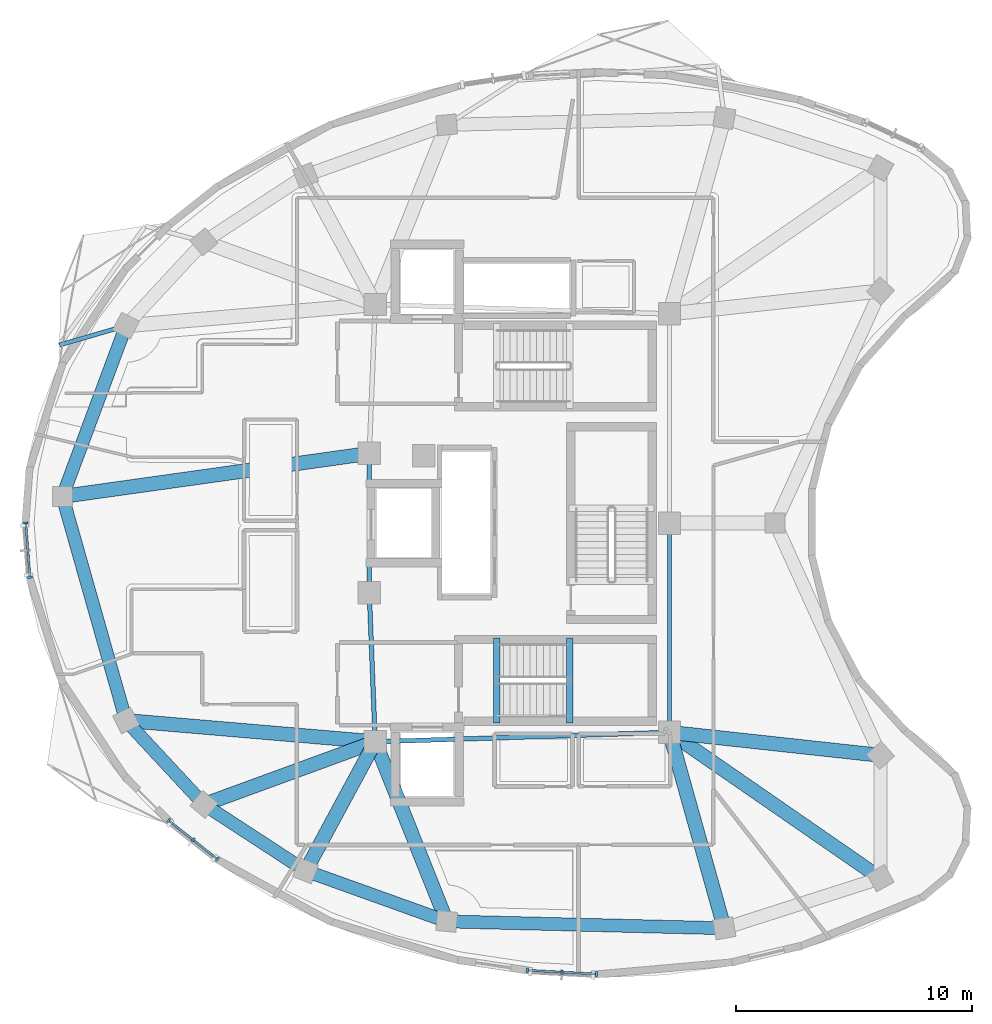
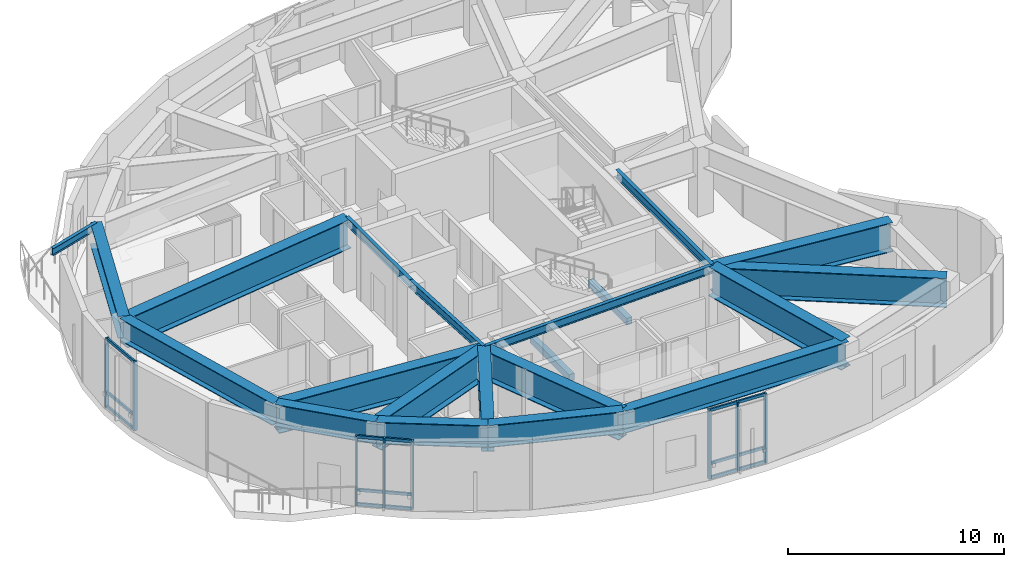
# One storey, part 2 of 12: 23 members, 21 beams, 3 elements without a shape of their own.
"""IFC4 building model written with IfcOpenShell, lengths in metres."""

from ifc_helpers import new_model, si_unit, direction, frame, origin, origin_2d, place, context, subcontext, project, spatial, rectangle, i_section, extrude, material, layer, layer_set, material_profile, profile_set, type_object, element, aggregate, save


model = new_model("IFC4")

# Units and contexts
model_context = context("Model", 3, precision=1e-05, world=origin(), true_north=direction((0.0, 1.0)))
body_context = subcontext(model_context, "Body", "Model", "MODEL_VIEW")
ifc_project = project(units=[si_unit("LENGTHUNIT", "METRE"), si_unit("AREAUNIT", "SQUARE_METRE"), si_unit("VOLUMEUNIT", "CUBIC_METRE"), si_unit("PLANEANGLEUNIT", "RADIAN"), si_unit("MASSUNIT", "GRAM", prefix="KILO")], contexts=[model_context])

# Site, building, storey
site_placement = place(None, origin())
site = spatial("IfcSite", under=ifc_project, at=site_placement, CompositionType="ELEMENT")
building_placement = place(site_placement, origin())
building = spatial("IfcBuilding", under=site, at=building_placement, Name="Korentha Bioscience Tower", CompositionType="ELEMENT")
storey_placement = place(building_placement, frame((0.0, 0.0, 286.800048828125)))
storey = spatial("IfcBuildingStorey", under=building, at=storey_placement, Name="L66", CompositionType="ELEMENT", Elevation=286.800048828125)

# Beams
ifc_material_1 = material(Name="Concrete C50", Category="concrete")
ifc_material_profile_1 = material_profile(ifc_material_1, rectangle(XDim=0.280029296875, YDim=0.3798828125, at=origin_2d()), Name="Concrete C50")
ifc_profile_set_1 = profile_set([ifc_material_profile_1], Name="Concrete C50 (ST-HB380)")
beam_type_1 = type_object("IfcBeamType", Name="Concrete Stair Header Beam RC 280x380", PredefinedType="BEAM", material=ifc_profile_set_1)
for number, where, z_axis, x_axis, name in (
    (1, (30.25, 18.550048828125, -0.18994140625), (0.0, 1.0, 0.0), (-1.0, 0.0, 0.0), "L66 ST-2 Concrete Stair Header Beam"),
    (2, (33.330078125, 18.550048828125, 1.909912109375), (0.0, 1.0, 0.0), (-1.0, 0.0, 0.0), "L66 ST-2 Half-Landing Header Beam 1"),
):
    element("IfcBeam", number, at=place(storey_placement, frame(where, z_axis=z_axis, x_axis=x_axis)), inside=storey, type_object=beam_type_1, Name=name, PredefinedType="BEAM", context=body_context, shape_type="SweptSolid", body=[
        extrude(rectangle(XDim=0.280029296875, YDim=0.3798828125, at=origin_2d()), origin(), (0.0, 0.0, 1.0), 3.599853515625),
    ])
ifc_material_2 = material(Name="Steel S355", Category="steel")
ifc_material_profile_2 = material_profile(ifc_material_2, i_section(OverallWidth=0.550048828125, OverallDepth=1.25, WebThickness=0.02392578125, FlangeThickness=0.0400390625, at=origin_2d()), Name="Steel S355")
ifc_profile_set_2 = profile_set([ifc_material_profile_2], Name="Steel S355 (TG-03)")
beam_type_2 = type_object("IfcBeamType", Name="Crown Step Transfer Girder CVS 1250x510", PredefinedType="USERDEFINED", material=ifc_profile_set_2)
beam_1_placement = place(storey_placement, frame((14.556884765625, 35.35107421875, 3.27490234375), z_axis=(-0.348764777576, -0.937210291195, 0.0), x_axis=(0.937210291195, -0.348764777576, 0.0)))
element("IfcBeam", 3, at=beam_1_placement, inside=storey, type_object=beam_type_2, Name="L66 Perimeter Spandrel Girder 06", ObjectType="TRANSFER_GIRDER", PredefinedType="USERDEFINED", context=body_context, shape_type="SweptSolid", body=[
    extrude(i_section(OverallWidth=0.550048828125, OverallDepth=1.25, WebThickness=0.02392578125, FlangeThickness=0.0400390625, at=origin_2d()), origin(), (0.0, 0.0, 1.0), 7.705810546875),
])
beam_2_placement = place(storey_placement, frame((11.869384765625, 28.129150390625, 3.27490234375), z_axis=(0.272737504726, -0.962088485284, 0.0), x_axis=(0.962088485284, 0.272737504726, 0.0)))
element("IfcBeam", 4, at=beam_2_placement, inside=storey, type_object=beam_type_2, Name="L66 Perimeter Spandrel Girder 07", ObjectType="TRANSFER_GIRDER", PredefinedType="USERDEFINED", context=body_context, shape_type="SweptSolid", body=[
    extrude(i_section(OverallWidth=0.550048828125, OverallDepth=1.25, WebThickness=0.02392578125, FlangeThickness=0.0400390625, at=origin_2d()), origin(), (0.0, 0.0, 1.0), 9.853759765625),
])
beam_3_placement = place(storey_placement, frame((14.556884765625, 18.64892578125, 3.27490234375), z_axis=(0.680655927259, -0.732603240976, 0.0), x_axis=(0.732603240976, 0.680655927259, 0.0)))
element("IfcBeam", 5, at=beam_3_placement, inside=storey, type_object=beam_type_2, Name="L66 Perimeter Spandrel Girder 08", ObjectType="TRANSFER_GIRDER", PredefinedType="USERDEFINED", context=body_context, shape_type="SweptSolid", body=[
    extrude(i_section(OverallWidth=0.550048828125, OverallDepth=1.25, WebThickness=0.02392578125, FlangeThickness=0.0400390625, at=origin_2d()), origin(), (0.0, 0.0, 1.0), 4.845458984375),
])
beam_4_placement = place(storey_placement, frame((17.85498046875, 15.09912109375, 3.27490234375), z_axis=(0.837370389089, -0.546635922234, 0.0), x_axis=(0.546635922234, 0.837370389089, 0.0)))
element("IfcBeam", 6, at=beam_4_placement, inside=storey, type_object=beam_type_2, Name="L66 Perimeter Spandrel Girder 09", ObjectType="TRANSFER_GIRDER", PredefinedType="USERDEFINED", context=body_context, shape_type="SweptSolid", body=[
    extrude(i_section(OverallWidth=0.550048828125, OverallDepth=1.25, WebThickness=0.02392578125, FlangeThickness=0.0400390625, at=origin_2d()), origin(), (0.0, 0.0, 1.0), 5.137451171875),
])
beam_5_placement = place(storey_placement, frame((22.156982421875, 12.290771484375, 3.27490234375), z_axis=(0.941344019681, -0.337448420668, 0.0), x_axis=(0.337448420668, 0.941344019681, 0.0)))
element("IfcBeam", 7, at=beam_5_placement, inside=storey, type_object=beam_type_2, Name="L66 Perimeter Spandrel Girder 10", ObjectType="TRANSFER_GIRDER", PredefinedType="USERDEFINED", context=body_context, shape_type="SweptSolid", body=[
    extrude(i_section(OverallWidth=0.550048828125, OverallDepth=1.25, WebThickness=0.02392578125, FlangeThickness=0.0400390625, at=origin_2d()), origin(), (0.0, 0.0, 1.0), 6.340576171875),
])
beam_6_placement = place(storey_placement, frame((28.125732421875, 10.151123046875, 3.27490234375), z_axis=(0.999696680128, -0.024628189974, 0.0), x_axis=(0.024628189974, 0.999696680128, 0.0)))
element("IfcBeam", 8, at=beam_6_placement, inside=storey, type_object=beam_type_2, Name="L66 Perimeter Spandrel Girder 11", ObjectType="TRANSFER_GIRDER", PredefinedType="USERDEFINED", context=body_context, shape_type="SweptSolid", body=[
    extrude(i_section(OverallWidth=0.550048828125, OverallDepth=1.25, WebThickness=0.02392578125, FlangeThickness=0.0400390625, at=origin_2d()), origin(), (0.0, 0.0, 1.0), 11.7470703125),
])
ifc_material_profile_3 = material_profile(ifc_material_2, i_section(OverallWidth=0.60009765625, OverallDepth=1.64990234375, WebThickness=0.02587890625, FlangeThickness=0.0439453125, at=origin_2d()), Name="Steel S355")
ifc_profile_set_3 = profile_set([ifc_material_profile_3], Name="Steel S355 (TG-04)")
beam_type_3 = type_object("IfcBeamType", Name="Deep Setback Transfer Girder CVS 1650x620", PredefinedType="USERDEFINED", material=ifc_profile_set_3)
beam_7_placement = place(storey_placement, frame((24.85009765625, 29.949951171875, 3.074951171875), z_axis=(-0.990305038065, -0.138909796571, 0.0), x_axis=(0.138909796571, -0.990305038065, 0.0)))
element("IfcBeam", 9, at=beam_7_placement, inside=storey, type_object=beam_type_3, Name="L66 Radial Transfer Girder 07", ObjectType="TRANSFER_GIRDER", PredefinedType="USERDEFINED", context=body_context, shape_type="SweptSolid", body=[
    extrude(i_section(OverallWidth=0.60009765625, OverallDepth=1.64990234375, WebThickness=0.02587890625, FlangeThickness=0.0439453125, at=origin_2d()), origin(), (0.0, 0.0, 1.0), 13.10791015625),
])
beam_8_placement = place(storey_placement, frame((25.10009765625, 17.75, 3.074951171875), z_axis=(-0.996384971169, 0.084952864741, 0.0), x_axis=(-0.084952864741, -0.996384971169, 0.0)))
element("IfcBeam", 10, at=beam_8_placement, inside=storey, type_object=beam_type_3, Name="L66 Radial Transfer Girder 08", ObjectType="TRANSFER_GIRDER", PredefinedType="USERDEFINED", context=body_context, shape_type="SweptSolid", body=[
    extrude(i_section(OverallWidth=0.60009765625, OverallDepth=1.64990234375, WebThickness=0.02587890625, FlangeThickness=0.0439453125, at=origin_2d()), origin(), (0.0, 0.0, 1.0), 10.58154296875),
])
beam_9_placement = place(storey_placement, frame((25.10009765625, 17.75, 3.074951171875), z_axis=(-0.939113387984, -0.343607398798, 0.0), x_axis=(0.343607398798, -0.939113387984, 0.0)))
element("IfcBeam", 11, at=beam_9_placement, inside=storey, type_object=beam_type_3, Name="L66 Radial Transfer Girder 09", ObjectType="TRANSFER_GIRDER", PredefinedType="USERDEFINED", context=body_context, shape_type="SweptSolid", body=[
    extrude(i_section(OverallWidth=0.60009765625, OverallDepth=1.64990234375, WebThickness=0.02587890625, FlangeThickness=0.0439453125, at=origin_2d()), origin(), (0.0, 0.0, 1.0), 7.71484375),
])
beam_10_placement = place(storey_placement, frame((25.10009765625, 17.75, 3.074951171875), z_axis=(-0.474541081143, -0.880233356734, 0.0), x_axis=(0.880233356734, -0.474541081143, 0.0)))
element("IfcBeam", 12, at=beam_10_placement, inside=storey, type_object=beam_type_3, Name="L66 Radial Transfer Girder 10", ObjectType="TRANSFER_GIRDER", PredefinedType="USERDEFINED", context=body_context, shape_type="SweptSolid", body=[
    extrude(i_section(OverallWidth=0.60009765625, OverallDepth=1.64990234375, WebThickness=0.02587890625, FlangeThickness=0.0439453125, at=origin_2d()), origin(), (0.0, 0.0, 1.0), 6.201904296875),
])
beam_11_placement = place(storey_placement, frame((25.10009765625, 17.75, 3.074951171875), z_axis=(0.369923475736, -0.929062227248, 0.0), x_axis=(0.929062227248, 0.369923475736, 0.0)))
element("IfcBeam", 13, at=beam_11_placement, inside=storey, type_object=beam_type_3, Name="L66 Radial Transfer Girder 11", ObjectType="TRANSFER_GIRDER", PredefinedType="USERDEFINED", context=body_context, shape_type="SweptSolid", body=[
    extrude(i_section(OverallWidth=0.60009765625, OverallDepth=1.64990234375, WebThickness=0.02587890625, FlangeThickness=0.0439453125, at=origin_2d()), origin(), (0.0, 0.0, 1.0), 8.17919921875),
])
beam_12_placement = place(storey_placement, frame((37.550048828125, 18.14990234375, 3.074951171875), z_axis=(0.269460517512, -0.963011437888, 0.0), x_axis=(0.963011437888, 0.269460517512, 0.0)))
element("IfcBeam", 14, at=beam_12_placement, inside=storey, type_object=beam_type_3, Name="L66 Radial Transfer Girder 12", ObjectType="TRANSFER_GIRDER", PredefinedType="USERDEFINED", context=body_context, shape_type="SweptSolid", body=[
    extrude(i_section(OverallWidth=0.60009765625, OverallDepth=1.64990234375, WebThickness=0.02587890625, FlangeThickness=0.0439453125, at=origin_2d()), origin(), (0.0, 0.0, 1.0), 8.6064453125),
])
beam_13_placement = place(storey_placement, frame((37.550048828125, 18.14990234375, 3.074951171875), z_axis=(0.822499007629, -0.56876654477, 0.0), x_axis=(0.56876654477, 0.822499007629, 0.0)))
element("IfcBeam", 15, at=beam_13_placement, inside=storey, type_object=beam_type_3, Name="L66 Radial Transfer Girder 13", ObjectType="TRANSFER_GIRDER", PredefinedType="USERDEFINED", context=body_context, shape_type="SweptSolid", body=[
    extrude(i_section(OverallWidth=0.60009765625, OverallDepth=1.64990234375, WebThickness=0.02587890625, FlangeThickness=0.0439453125, at=origin_2d()), origin(), (0.0, 0.0, 1.0), 10.8525390625),
])
beam_14_placement = place(storey_placement, frame((37.550048828125, 18.14990234375, 3.074951171875), z_axis=(0.994116294337, -0.108318019432, 0.0), x_axis=(0.108318019432, 0.994116294337, 0.0)))
element("IfcBeam", 16, at=beam_14_placement, inside=storey, type_object=beam_type_3, Name="L66 Radial Transfer Girder 14", ObjectType="TRANSFER_GIRDER", PredefinedType="USERDEFINED", context=body_context, shape_type="SweptSolid", body=[
    extrude(i_section(OverallWidth=0.60009765625, OverallDepth=1.64990234375, WebThickness=0.02587890625, FlangeThickness=0.0439453125, at=origin_2d()), origin(), (0.0, 0.0, 1.0), 8.977294921875),
])
ifc_material_profile_4 = material_profile(ifc_material_2, i_section(OverallWidth=0.18994140625, OverallDepth=0.45703125, WebThickness=0.009033203125, FlangeThickness=0.014404296875, at=origin_2d()), Name="Steel S355")
ifc_profile_set_4 = profile_set([ifc_material_profile_4], Name="Steel S355 (MB-460)")
beam_type_4 = type_object("IfcBeamType", Name="Mid-Ring Tie Girder W460x74", PredefinedType="BEAM", material=ifc_profile_set_4)
beam_15_placement = place(storey_placement, frame((24.85009765625, 29.949951171875, 3.67138671875), z_axis=(0.0, -1.0, 0.0), x_axis=(1.0, 0.0, 0.0)))
element("IfcBeam", 17, at=beam_15_placement, inside=storey, type_object=beam_type_4, Name="L66 Core Ring Tie Girder 03", PredefinedType="BEAM", context=body_context, shape_type="SweptSolid", body=[
    extrude(i_section(OverallWidth=0.18994140625, OverallDepth=0.45703125, WebThickness=0.009033203125, FlangeThickness=0.014404296875, at=origin_2d()), origin(), (0.0, 0.0, 1.0), 5.89990234375),
])
beam_16_placement = place(storey_placement, frame((24.85009765625, 24.050048828125, 3.67138671875), z_axis=(0.039651025576, -0.999213588864, 0.0), x_axis=(0.999213588864, 0.039651025576, 0.0)))
element("IfcBeam", 18, at=beam_16_placement, inside=storey, type_object=beam_type_4, Name="L66 Core Ring Tie Girder 04", PredefinedType="BEAM", context=body_context, shape_type="SweptSolid", body=[
    extrude(i_section(OverallWidth=0.18994140625, OverallDepth=0.45703125, WebThickness=0.009033203125, FlangeThickness=0.014404296875, at=origin_2d()), origin(), (0.0, 0.0, 1.0), 6.304931640625),
])
beam_17_placement = place(storey_placement, frame((25.10009765625, 17.75, 3.67138671875), z_axis=(0.999484526071, 0.032104238723, 0.0), x_axis=(-0.032104238723, 0.999484526071, 0.0)))
element("IfcBeam", 19, at=beam_17_placement, inside=storey, type_object=beam_type_4, Name="L66 Core Ring Tie Girder 05", PredefinedType="BEAM", context=body_context, shape_type="SweptSolid", body=[
    extrude(i_section(OverallWidth=0.18994140625, OverallDepth=0.45703125, WebThickness=0.009033203125, FlangeThickness=0.014404296875, at=origin_2d()), origin(), (0.0, 0.0, 1.0), 12.456298828125),
])
beam_18_placement = place(storey_placement, frame((37.550048828125, 18.14990234375, 3.67138671875), z_axis=(0.0, 1.0, 0.0), x_axis=(-1.0, 0.0, 0.0)))
element("IfcBeam", 20, at=beam_18_placement, inside=storey, type_object=beam_type_4, Name="L66 Core Ring Tie Girder 06", PredefinedType="BEAM", context=body_context, shape_type="SweptSolid", body=[
    extrude(i_section(OverallWidth=0.18994140625, OverallDepth=0.45703125, WebThickness=0.009033203125, FlangeThickness=0.014404296875, at=origin_2d()), origin(), (0.0, 0.0, 1.0), 8.85009765625),
])

# Curtain wall, members
ifc_material_3 = material(Name="Thermally Broken Aluminium Frame", Category="aluminium")
ifc_layer = layer(ifc_material_3, 0.219970703125, Name="Thermally Broken Aluminium Frame")
ifc_layer_set = layer_set([ifc_layer], Name="Thermally Broken Aluminium Frame (CW-T2)")
curtain_wall_type = type_object("IfcCurtainWallType", Name="Solar-Screened Lab Unitised Curtain Wall CW-T2", PredefinedType="USERDEFINED", material=ifc_layer_set)
curtain_wall_1_placement = place(storey_placement, origin())
curtain_wall_1 = element("IfcCurtainWall", 21, at=curtain_wall_1_placement, inside=storey, type_object=curtain_wall_type, Name="L66 Curtain Wall 19", ObjectType="UNITISED", PredefinedType="USERDEFINED")
ifc_material_4 = material(Name="Anodised Aluminium 6063-T6", Category="aluminium")
ifc_material_profile_5 = material_profile(ifc_material_4, rectangle(XDim=0.090087890625, YDim=0.199951171875, at=origin_2d()), Name="Anodised Aluminium 6063-T6")
ifc_profile_set_5 = profile_set([ifc_material_profile_5], Name="Anodised Aluminium 6063-T6 (CW-MUL)")
member_type_1 = type_object("IfcMemberType", Name="Mullion RECT 90x200", PredefinedType="MULLION", material=ifc_profile_set_5)
member_1_placement = place(storey_placement, frame((10.31787109375, 27.007080078125, 0.0), z_axis=(0.0, 0.0, 1.0), x_axis=(0.076447323916, -0.997073621487, 0.0)))
member_1 = element("IfcMember", 22, at=member_1_placement, type_object=member_type_1, Name="CW-L66-19 Mullion 1", PredefinedType="MULLION", context=body_context, shape_type="SweptSolid", body=[
    extrude(rectangle(XDim=0.090087890625, YDim=0.199951171875, at=origin_2d()), origin(), (0.0, 0.0, 1.0), 3.89990234375),
])
member_2_placement = place(storey_placement, frame((10.493896484375, 24.710205078125, 0.0), z_axis=(0.0, 0.0, 1.0), x_axis=(0.076447323916, -0.997073621487, 0.0)))
member_2 = element("IfcMember", 23, at=member_2_placement, type_object=member_type_1, Name="CW-L66-19 Mullion 2", PredefinedType="MULLION", context=body_context, shape_type="SweptSolid", body=[
    extrude(rectangle(XDim=0.090087890625, YDim=0.199951171875, at=origin_2d()), origin(), (0.0, 0.0, 1.0), 3.89990234375),
])

curtain_wall_2_placement = place(storey_placement, origin())
curtain_wall_2 = element("IfcCurtainWall", 24, at=curtain_wall_2_placement, inside=storey, type_object=curtain_wall_type, Name="L66 Curtain Wall 25", ObjectType="UNITISED", PredefinedType="USERDEFINED")
member_3_placement = place(storey_placement, frame((16.361083984375, 14.41943359375, 0.0), z_axis=(0.0, 0.0, 1.0), x_axis=(0.78407560827, -0.620665320858, 0.0)))
member_3 = element("IfcMember", 25, at=member_3_placement, type_object=member_type_1, Name="CW-L66-25 Mullion 1", PredefinedType="MULLION", context=body_context, shape_type="SweptSolid", body=[
    extrude(rectangle(XDim=0.090087890625, YDim=0.199951171875, at=origin_2d()), origin(), (0.0, 0.0, 1.0), 3.89990234375),
])
member_4_placement = place(storey_placement, frame((17.3935546875, 13.602294921875, 0.0), z_axis=(0.0, 0.0, 1.0), x_axis=(0.78407560827, -0.620665320858, 0.0)))
member_4 = element("IfcMember", 26, at=member_4_placement, type_object=member_type_1, Name="CW-L66-25 Mullion 2", PredefinedType="MULLION", context=body_context, shape_type="SweptSolid", body=[
    extrude(rectangle(XDim=0.090087890625, YDim=0.199951171875, at=origin_2d()), origin(), (0.0, 0.0, 1.0), 3.89990234375),
])
member_5_placement = place(storey_placement, frame((18.42578125, 12.784912109375, 0.0), z_axis=(0.0, 0.0, 1.0), x_axis=(0.78407560827, -0.620665320858, 0.0)))
member_5 = element("IfcMember", 27, at=member_5_placement, type_object=member_type_1, Name="CW-L66-25 Mullion 3", PredefinedType="MULLION", context=body_context, shape_type="SweptSolid", body=[
    extrude(rectangle(XDim=0.090087890625, YDim=0.199951171875, at=origin_2d()), origin(), (0.0, 0.0, 1.0), 3.89990234375),
])

curtain_wall_3_placement = place(storey_placement, origin())
curtain_wall_3 = element("IfcCurtainWall", 28, at=curtain_wall_3_placement, inside=storey, type_object=curtain_wall_type, Name="L66 Curtain Wall 31", ObjectType="UNITISED", PredefinedType="USERDEFINED")
member_6_placement = place(storey_placement, frame((31.531982421875, 8.082763671875, 0.0), z_axis=(0.0, 0.0, 1.0), x_axis=(0.998579324855, -0.053285382345, 0.0)))
member_6 = element("IfcMember", 29, at=member_6_placement, type_object=member_type_1, Name="CW-L66-31 Mullion 1", PredefinedType="MULLION", context=body_context, shape_type="SweptSolid", body=[
    extrude(rectangle(XDim=0.090087890625, YDim=0.199951171875, at=origin_2d()), origin(), (0.0, 0.0, 1.0), 3.89990234375),
])
member_7_placement = place(storey_placement, frame((32.994873046875, 8.004638671875, 0.0), z_axis=(0.0, 0.0, 1.0), x_axis=(0.998579324855, -0.053285382345, 0.0)))
member_7 = element("IfcMember", 30, at=member_7_placement, type_object=member_type_1, Name="CW-L66-31 Mullion 2", PredefinedType="MULLION", context=body_context, shape_type="SweptSolid", body=[
    extrude(rectangle(XDim=0.090087890625, YDim=0.199951171875, at=origin_2d()), origin(), (0.0, 0.0, 1.0), 3.89990234375),
])
member_8_placement = place(storey_placement, frame((34.45751953125, 7.9267578125, 0.0), z_axis=(0.0, 0.0, 1.0), x_axis=(0.998579324855, -0.053285382345, 0.0)))
member_8 = element("IfcMember", 31, at=member_8_placement, type_object=member_type_1, Name="CW-L66-31 Mullion 3", PredefinedType="MULLION", context=body_context, shape_type="SweptSolid", body=[
    extrude(rectangle(XDim=0.090087890625, YDim=0.199951171875, at=origin_2d()), origin(), (0.0, 0.0, 1.0), 3.89990234375),
])

# Beam
ifc_material_profile_6 = material_profile(ifc_material_2, i_section(OverallWidth=0.177978515625, OverallDepth=0.406982421875, WebThickness=0.0078125, FlangeThickness=0.0126953125, at=origin_2d()), Name="Steel S355")
ifc_profile_set_6 = profile_set([ifc_material_profile_6], Name="Steel S355 (CB-410)")
beam_type_5 = type_object("IfcBeamType", Name="Sun-Ledge Cantilever Beam W410x60", PredefinedType="BEAM", material=ifc_profile_set_6)
beam_19_placement = place(storey_placement, frame((14.556884765625, 35.35107421875, 3.698486328125), z_axis=(-0.960424006092, -0.278542148557, 0.0), x_axis=(0.278542148557, -0.960424006092, 0.0)))
element("IfcBeam", 32, at=beam_19_placement, inside=storey, type_object=beam_type_5, Name="L66 Balcony Cantilever Bracket B-L67-02", PredefinedType="BEAM", context=body_context, shape_type="SweptSolid", body=[
    extrude(i_section(OverallWidth=0.177978515625, OverallDepth=0.406982421875, WebThickness=0.0078125, FlangeThickness=0.0126953125, at=origin_2d()), origin(), (0.0, 0.0, 1.0), 2.926513671875),
])

# Member
ifc_material_profile_7 = material_profile(ifc_material_4, rectangle(XDim=0.090087890625, YDim=0.159912109375, at=origin_2d()), Name="Anodised Aluminium 6063-T6")
ifc_profile_set_7 = profile_set([ifc_material_profile_7], Name="Anodised Aluminium 6063-T6 (CW-TRN)")
member_type_2 = type_object("IfcMemberType", Name="Transom RECT 90x160", PredefinedType="USERDEFINED", material=ifc_profile_set_7)
member_9_placement = place(storey_placement, frame((10.3212890625, 26.96240234375, 0.044921875), z_axis=(0.076418222259, -0.997075852334, 0.0), x_axis=(0.997075852334, 0.076418222259, 0.0)))
member_9 = element("IfcMember", 33, at=member_9_placement, type_object=member_type_2, Name="CW-L66-19 Bay 1 Transom 1", ObjectType="TRANSOM", PredefinedType="USERDEFINED", context=body_context, shape_type="SweptSolid", body=[
    extrude(rectangle(XDim=0.090087890625, YDim=0.159912109375, at=origin_2d()), origin(), (0.0, 0.0, 1.0), 2.214111328125),
])

member_10_placement = place(storey_placement, frame((10.3212890625, 26.96240234375, 0.849853515625), z_axis=(0.076418222259, -0.997075852334, 0.0), x_axis=(0.997075852334, 0.076418222259, 0.0)))
member_10 = element("IfcMember", 34, at=member_10_placement, type_object=member_type_2, Name="CW-L66-19 Bay 1 Transom 2", ObjectType="TRANSOM", PredefinedType="USERDEFINED", context=body_context, shape_type="SweptSolid", body=[
    extrude(rectangle(XDim=0.090087890625, YDim=0.159912109375, at=origin_2d()), origin(), (0.0, 0.0, 1.0), 2.214111328125),
])

member_11_placement = place(storey_placement, frame((10.3212890625, 26.96240234375, 3.85498046875), z_axis=(0.076418222259, -0.997075852334, 0.0), x_axis=(0.997075852334, 0.076418222259, 0.0)))
member_11 = element("IfcMember", 35, at=member_11_placement, type_object=member_type_2, Name="CW-L66-19 Bay 1 Transom 3", ObjectType="TRANSOM", PredefinedType="USERDEFINED", context=body_context, shape_type="SweptSolid", body=[
    extrude(rectangle(XDim=0.090087890625, YDim=0.159912109375, at=origin_2d()), origin(), (0.0, 0.0, 1.0), 2.214111328125),
])

aggregate(curtain_wall_1, [member_1, member_2, member_9, member_10, member_11])

member_12_placement = place(storey_placement, frame((16.396484375, 14.391357421875, 0.044921875), z_axis=(0.784082150334, -0.620657056294, 0.0), x_axis=(0.620657056294, 0.784082150334, 0.0)))
member_12 = element("IfcMember", 36, at=member_12_placement, type_object=member_type_2, Name="CW-L66-25 Bay 1 Transom 1", ObjectType="TRANSOM", PredefinedType="USERDEFINED", context=body_context, shape_type="SweptSolid", body=[
    extrude(rectangle(XDim=0.090087890625, YDim=0.159912109375, at=origin_2d()), origin(), (0.0, 0.0, 1.0), 1.2265625),
])

member_13_placement = place(storey_placement, frame((16.396484375, 14.391357421875, 0.849853515625), z_axis=(0.784082150334, -0.620657056294, 0.0), x_axis=(0.620657056294, 0.784082150334, 0.0)))
member_13 = element("IfcMember", 37, at=member_13_placement, type_object=member_type_2, Name="CW-L66-25 Bay 1 Transom 2", ObjectType="TRANSOM", PredefinedType="USERDEFINED", context=body_context, shape_type="SweptSolid", body=[
    extrude(rectangle(XDim=0.090087890625, YDim=0.159912109375, at=origin_2d()), origin(), (0.0, 0.0, 1.0), 1.2265625),
])

member_14_placement = place(storey_placement, frame((16.396484375, 14.391357421875, 3.85498046875), z_axis=(0.784082150334, -0.620657056294, 0.0), x_axis=(0.620657056294, 0.784082150334, 0.0)))
member_14 = element("IfcMember", 38, at=member_14_placement, type_object=member_type_2, Name="CW-L66-25 Bay 1 Transom 3", ObjectType="TRANSOM", PredefinedType="USERDEFINED", context=body_context, shape_type="SweptSolid", body=[
    extrude(rectangle(XDim=0.090087890625, YDim=0.159912109375, at=origin_2d()), origin(), (0.0, 0.0, 1.0), 1.2265625),
])

member_15_placement = place(storey_placement, frame((17.4287109375, 13.57421875, 0.044921875), z_axis=(0.784082150334, -0.620657056294, 0.0), x_axis=(0.620657056294, 0.784082150334, 0.0)))
member_15 = element("IfcMember", 39, at=member_15_placement, type_object=member_type_2, Name="CW-L66-25 Bay 2 Transom 1", ObjectType="TRANSOM", PredefinedType="USERDEFINED", context=body_context, shape_type="SweptSolid", body=[
    extrude(rectangle(XDim=0.090087890625, YDim=0.159912109375, at=origin_2d()), origin(), (0.0, 0.0, 1.0), 1.2265625),
])

member_16_placement = place(storey_placement, frame((17.4287109375, 13.57421875, 0.849853515625), z_axis=(0.784082150334, -0.620657056294, 0.0), x_axis=(0.620657056294, 0.784082150334, 0.0)))
member_16 = element("IfcMember", 40, at=member_16_placement, type_object=member_type_2, Name="CW-L66-25 Bay 2 Transom 2", ObjectType="TRANSOM", PredefinedType="USERDEFINED", context=body_context, shape_type="SweptSolid", body=[
    extrude(rectangle(XDim=0.090087890625, YDim=0.159912109375, at=origin_2d()), origin(), (0.0, 0.0, 1.0), 1.2265625),
])

member_17_placement = place(storey_placement, frame((17.4287109375, 13.57421875, 3.85498046875), z_axis=(0.784082150334, -0.620657056294, 0.0), x_axis=(0.620657056294, 0.784082150334, 0.0)))
member_17 = element("IfcMember", 41, at=member_17_placement, type_object=member_type_2, Name="CW-L66-25 Bay 2 Transom 3", ObjectType="TRANSOM", PredefinedType="USERDEFINED", context=body_context, shape_type="SweptSolid", body=[
    extrude(rectangle(XDim=0.090087890625, YDim=0.159912109375, at=origin_2d()), origin(), (0.0, 0.0, 1.0), 1.2265625),
])

aggregate(curtain_wall_2, [member_3, member_4, member_5, member_12, member_13, member_14, member_15, member_16, member_17])

member_18_placement = place(storey_placement, frame((31.5771484375, 8.080322265625, 0.044921875), z_axis=(0.998579797084, -0.053276531945, 0.0), x_axis=(0.053276531945, 0.998579797084, 0.0)))
member_18 = element("IfcMember", 42, at=member_18_placement, type_object=member_type_2, Name="CW-L66-31 Bay 1 Transom 1", ObjectType="TRANSOM", PredefinedType="USERDEFINED", context=body_context, shape_type="SweptSolid", body=[
    extrude(rectangle(XDim=0.090087890625, YDim=0.159912109375, at=origin_2d()), origin(), (0.0, 0.0, 1.0), 1.374755859375),
])

member_19_placement = place(storey_placement, frame((31.5771484375, 8.080322265625, 0.849853515625), z_axis=(0.998579797084, -0.053276531945, 0.0), x_axis=(0.053276531945, 0.998579797084, 0.0)))
member_19 = element("IfcMember", 43, at=member_19_placement, type_object=member_type_2, Name="CW-L66-31 Bay 1 Transom 2", ObjectType="TRANSOM", PredefinedType="USERDEFINED", context=body_context, shape_type="SweptSolid", body=[
    extrude(rectangle(XDim=0.090087890625, YDim=0.159912109375, at=origin_2d()), origin(), (0.0, 0.0, 1.0), 1.374755859375),
])

member_20_placement = place(storey_placement, frame((31.5771484375, 8.080322265625, 3.85498046875), z_axis=(0.998579797084, -0.053276531945, 0.0), x_axis=(0.053276531945, 0.998579797084, 0.0)))
member_20 = element("IfcMember", 44, at=member_20_placement, type_object=member_type_2, Name="CW-L66-31 Bay 1 Transom 3", ObjectType="TRANSOM", PredefinedType="USERDEFINED", context=body_context, shape_type="SweptSolid", body=[
    extrude(rectangle(XDim=0.090087890625, YDim=0.159912109375, at=origin_2d()), origin(), (0.0, 0.0, 1.0), 1.374755859375),
])

member_21_placement = place(storey_placement, frame((33.039794921875, 8.00244140625, 0.044921875), z_axis=(0.998579797084, -0.053276531945, 0.0), x_axis=(0.053276531945, 0.998579797084, 0.0)))
member_21 = element("IfcMember", 45, at=member_21_placement, type_object=member_type_2, Name="CW-L66-31 Bay 2 Transom 1", ObjectType="TRANSOM", PredefinedType="USERDEFINED", context=body_context, shape_type="SweptSolid", body=[
    extrude(rectangle(XDim=0.090087890625, YDim=0.159912109375, at=origin_2d()), origin(), (0.0, 0.0, 1.0), 1.374755859375),
])

member_22_placement = place(storey_placement, frame((33.039794921875, 8.00244140625, 0.849853515625), z_axis=(0.998579797084, -0.053276531945, 0.0), x_axis=(0.053276531945, 0.998579797084, 0.0)))
member_22 = element("IfcMember", 46, at=member_22_placement, type_object=member_type_2, Name="CW-L66-31 Bay 2 Transom 2", ObjectType="TRANSOM", PredefinedType="USERDEFINED", context=body_context, shape_type="SweptSolid", body=[
    extrude(rectangle(XDim=0.090087890625, YDim=0.159912109375, at=origin_2d()), origin(), (0.0, 0.0, 1.0), 1.374755859375),
])

member_23_placement = place(storey_placement, frame((33.039794921875, 8.00244140625, 3.85498046875), z_axis=(0.998579797084, -0.053276531945, 0.0), x_axis=(0.053276531945, 0.998579797084, 0.0)))
member_23 = element("IfcMember", 47, at=member_23_placement, type_object=member_type_2, Name="CW-L66-31 Bay 2 Transom 3", ObjectType="TRANSOM", PredefinedType="USERDEFINED", context=body_context, shape_type="SweptSolid", body=[
    extrude(rectangle(XDim=0.090087890625, YDim=0.159912109375, at=origin_2d()), origin(), (0.0, 0.0, 1.0), 1.374755859375),
])

aggregate(curtain_wall_3, [member_6, member_7, member_8, member_18, member_19, member_20, member_21, member_22, member_23])

save(model, "model.ifc")
